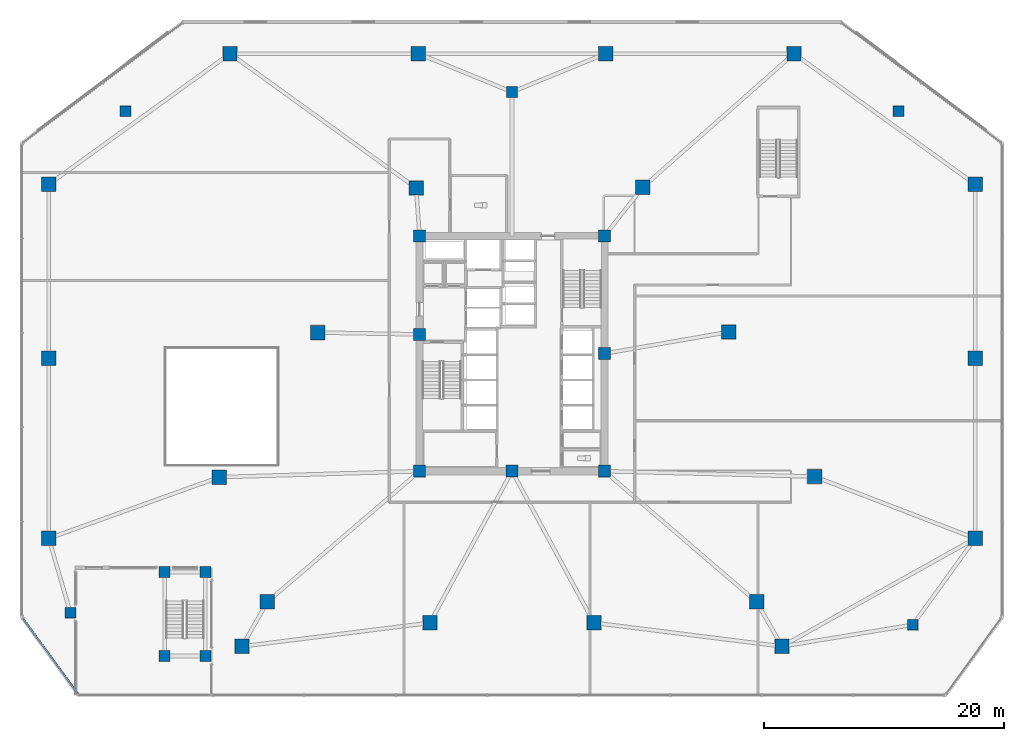
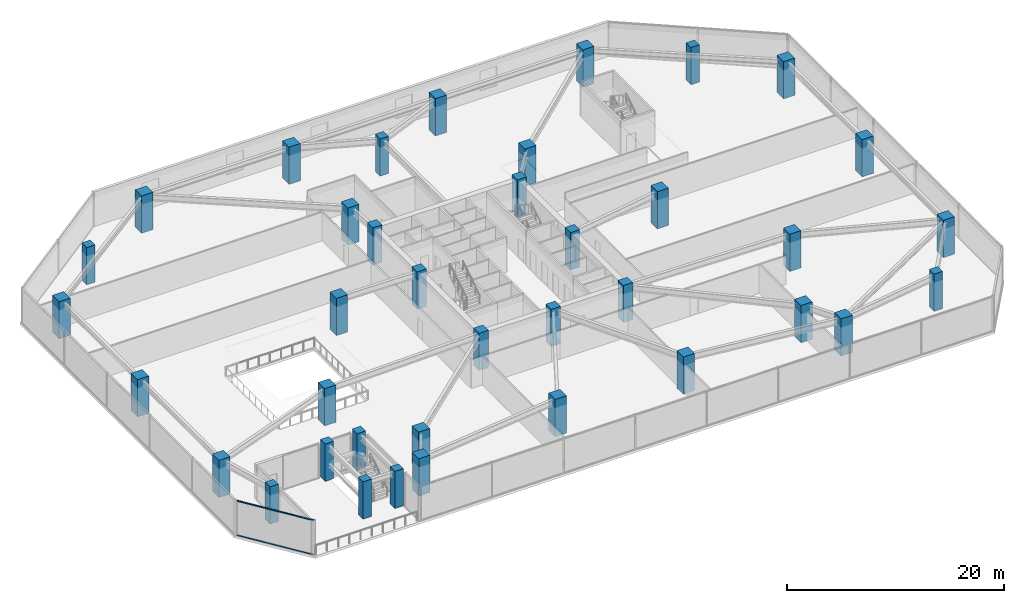
# One storey, part 1 of 22: 38 columns, 2 members, 1 element without a shape of its own.
"""IFC4 building model written with IfcOpenShell, lengths in metres."""

import ifcopenshell
import ifcopenshell.guid

model = None  # the IFC model being written
_history = None  # IfcOwnerHistory: only IFC2X3 demands one
_inside = {}  # id of a spatial element -> (the spatial element, [elements in it])
_under = {}  # id of a project, library or spatial element -> (it, [spatial elements below it])
_declared = {}  # id of a project -> (the project, [libraries it declares])
_typed = {}  # id of a type object -> (the type object, [elements of that type])
_made_of = {}  # id of a material, layer set ... -> (it, [elements and type objects made of it])


def new_model(schema):
    """Start an empty IFC model of exactly this schema.

    Asked for "IFC4X3", IfcOpenShell would pick the latest addendum, in which some entities
    have other attributes; the version numbers below select the first issue.
    IFC2X3 requires an IfcOwnerHistory on every rooted entity: one is made here for all.
    """
    global model, _history
    if schema == "IFC4X3":
        model = ifcopenshell.file(schema_version=(4, 3, 0, 0))
    else:
        model = ifcopenshell.file(schema=schema)
    _inside.clear()
    _under.clear()
    _declared.clear()
    _typed.clear()
    _made_of.clear()
    _history = None
    if model.schema == "IFC2X3":
        org = make("IfcOrganization", Name="unknown")
        user = make(
            "IfcPersonAndOrganization",
            ThePerson=make("IfcPerson", FamilyName="unknown"),
            TheOrganization=org,
        )
        app = make(
            "IfcApplication",
            ApplicationDeveloper=org,
            Version="unknown",
            ApplicationFullName="unknown",
            ApplicationIdentifier="unknown",
        )
        _history = make(
            "IfcOwnerHistory",
            OwningUser=user,
            OwningApplication=app,
            ChangeAction="ADDED",
            CreationDate=0,
        )
    return model


def make(cls, **values):
    """One entity of the class cls with the attributes given. An attribute that is None is left unset."""
    return model.create_entity(
        cls, **{name: value for name, value in values.items() if value is not None}
    )


def rooted(cls, **values):
    """An entity with a GlobalId (a new one), such as an element, a storey or a relation."""
    return make(cls, GlobalId=ifcopenshell.guid.new(), OwnerHistory=_history, **values)


def si_unit(unit_type, name, prefix=None):
    """IfcSIUnit, for example si_unit("LENGTHUNIT", "METRE", prefix="MILLI")."""
    return make("IfcSIUnit", UnitType=unit_type, Prefix=prefix, Name=name)


def assignment(units):
    """IfcUnitAssignment: the units of a project."""
    return None if units is None else make("IfcUnitAssignment", Units=units)


def point(xyz):
    """IfcCartesianPoint."""
    return None if xyz is None else make("IfcCartesianPoint", Coordinates=xyz)


def direction(xyz):
    """IfcDirection."""
    return None if xyz is None else make("IfcDirection", DirectionRatios=xyz)


def frame(location, z_axis=None, x_axis=None):
    """IfcAxis2Placement3D, a coordinate frame: its origin and axes. An axis left out is left unset."""
    return make(
        "IfcAxis2Placement3D",
        Location=point(location),
        Axis=direction(z_axis),
        RefDirection=direction(x_axis),
    )


def frame_2d(location, x_axis=None):
    """IfcAxis2Placement2D, a coordinate frame in the plane: its origin and x axis."""
    return make(
        "IfcAxis2Placement2D", Location=point(location), RefDirection=direction(x_axis)
    )


def origin():
    """The frame at (0, 0, 0) with its axes left unset."""
    return frame((0.0, 0.0, 0.0))


def origin_2d():
    """The frame at (0, 0) in the plane with its x axis left unset."""
    return frame_2d((0.0, 0.0))


def place(relative_to, where):
    """IfcLocalPlacement: puts the frame where relative to a parent placement (None: the world)."""
    return make(
        "IfcLocalPlacement", PlacementRelTo=relative_to, RelativePlacement=where
    )


def context(
    kind, dimensions, precision=None, world=None, true_north=None, identifier=None
):
    """IfcGeometricRepresentationContext, for example the 3D "Model" context."""
    return make(
        "IfcGeometricRepresentationContext",
        ContextIdentifier=identifier,
        ContextType=kind,
        CoordinateSpaceDimension=dimensions,
        Precision=precision,
        WorldCoordinateSystem=world,
        TrueNorth=true_north,
    )


def subcontext(parent, identifier, kind, view, scale=None):
    """IfcGeometricRepresentationSubContext, for example "Body" below "Model"."""
    return make(
        "IfcGeometricRepresentationSubContext",
        ContextIdentifier=identifier,
        ContextType=kind,
        ParentContext=parent,
        TargetScale=scale,
        TargetView=view,
    )


def project(units=None, contexts=None):
    """IfcProject with its units and contexts."""
    return rooted(
        "IfcProject",
        Name="project",
        RepresentationContexts=contexts,
        UnitsInContext=assignment(units),
    )


def spatial(cls, under=None, at=None, **own):
    """A site, building, storey or space (cls), placed at a placement, below another one or the project."""
    s = rooted(cls, ObjectPlacement=at, **own)
    if under is not None:
        _under.setdefault(under.id(), (under, []))[1].append(s)
    return s


def profile(cls, at=None, kind="AREA", **sizes):
    """A parametric profile (cls). Its sizes go by their IFC names, for example OverallWidth=200.0."""
    return make(cls, ProfileType=kind, Position=at, **sizes)


def rectangle(**sizes):
    """IfcRectangleProfileDef."""
    return profile("IfcRectangleProfileDef", **sizes)


def extrude(swept, where, along, depth):
    """IfcExtrudedAreaSolid: the profile swept, set in the frame where, extruded along a direction by depth."""
    return make(
        "IfcExtrudedAreaSolid",
        SweptArea=swept,
        Position=where,
        ExtrudedDirection=direction(along),
        Depth=depth,
    )


def shape(context_of_items, identifier, shape_type, items):
    """IfcShapeRepresentation: the items that make up one representation, for example the "Body"."""
    return make(
        "IfcShapeRepresentation",
        ContextOfItems=context_of_items,
        RepresentationIdentifier=identifier,
        RepresentationType=shape_type,
        Items=items,
    )


def material(Name=None, Category=None):
    """IfcMaterial."""
    return make("IfcMaterial", Name=Name, Category=Category)


def material_profile(
    of_material, cross_section, Name=None, Category=None, Priority=None
):
    """IfcMaterialProfile: a cross section and its material."""
    return make(
        "IfcMaterialProfile",
        Name=Name,
        Material=of_material,
        Profile=cross_section,
        Priority=Priority,
        Category=Category,
    )


def profile_set(profiles, Name=None, composite=None):
    """IfcMaterialProfileSet."""
    return make(
        "IfcMaterialProfileSet",
        Name=Name,
        MaterialProfiles=profiles,
        CompositeProfile=composite,
    )


def made_of(thing, what):
    """Note that an element or type object is made of a material, layer set ...; save() writes the relation."""
    if what is not None:
        _made_of.setdefault(what.id(), (what, []))[1].append(thing)
    return thing


def type_object(cls, material=None, **own):
    """A type object (cls), such as IfcWallType, which elements share."""
    return made_of(rooted(cls, **own), material)


def element(
    cls,
    number,
    at=None,
    inside=None,
    cuts=None,
    type_object=None,
    material=None,
    context=None,
    identifier="Body",
    shape_type=None,
    held_by="IfcProductDefinitionShape",
    body=None,
    shapes=None,
    **own,
):
    """One element of the class cls, such as IfcWall. Its Tag is "e" and its number.

    at: its placement. inside: the storey or other place that contains it. cuts: it is an
    opening in that element (IfcRelVoidsElement). A single representation is given by context,
    identifier, shape_type and body (its items); several are given by shapes. held_by: the class
    of the entity that holds the representations. save() writes the other relations.
    """
    e = rooted(cls, Tag="e%d" % number, ObjectPlacement=at, **own)
    if body is not None:
        shapes = [shape(context, identifier, shape_type, body)]
    if shapes is not None:
        e.Representation = make(held_by, Representations=shapes)
    if inside is not None:
        _inside.setdefault(inside.id(), (inside, []))[1].append(e)
    if cuts is not None:
        rooted(
            "IfcRelVoidsElement", RelatingBuildingElement=cuts, RelatedOpeningElement=e
        )
    if type_object is not None:
        _typed.setdefault(type_object.id(), (type_object, []))[1].append(e)
    return made_of(e, material)


def aggregate(whole, parts):
    """IfcRelAggregates: a whole, such as a stair, and the parts it consists of."""
    return rooted("IfcRelAggregates", RelatingObject=whole, RelatedObjects=parts)


def save(model, path):
    """Write the relations noted so far, then the file.

    IfcRelAggregates (storeys below a building ...), IfcRelContainedInSpatialStructure (elements
    in a storey), IfcRelDefinesByType, IfcRelAssociatesMaterial and IfcRelDeclares: one each for
    every whole, place, type object, material and project.
    """
    for whole, parts in _under.values():
        aggregate(whole, parts)
    for where, things in _inside.values():
        rooted(
            "IfcRelContainedInSpatialStructure",
            RelatedElements=things,
            RelatingStructure=where,
        )
    for kind, things in _typed.values():
        rooted("IfcRelDefinesByType", RelatedObjects=things, RelatingType=kind)
    for what, things in _made_of.values():
        rooted("IfcRelAssociatesMaterial", RelatedObjects=things, RelatingMaterial=what)
    for by, libraries in _declared.values():
        rooted("IfcRelDeclares", RelatingContext=by, RelatedDefinitions=libraries)
    model.write(path)


model = new_model("IFC4")

# Units and contexts
model_context = context("Model", 3, precision=1e-05, world=origin(), true_north=direction((0.0, 1.0)))
body_context = subcontext(model_context, "Body", "Model", "MODEL_VIEW")
ifc_project = project(units=[si_unit("LENGTHUNIT", "METRE"), si_unit("AREAUNIT", "SQUARE_METRE"), si_unit("VOLUMEUNIT", "CUBIC_METRE"), si_unit("PLANEANGLEUNIT", "RADIAN"), si_unit("MASSUNIT", "GRAM", prefix="KILO")], contexts=[model_context])

# Site, building, storey
site_placement = place(None, origin())
site = spatial("IfcSite", under=ifc_project, at=site_placement, CompositionType="ELEMENT")
building_placement = place(site_placement, origin())
building = spatial("IfcBuilding", under=site, at=building_placement, Name="Savorim Split Tower", CompositionType="ELEMENT")
storey_placement = place(building_placement, frame((0.0, 0.0, 13.39990234375)))
storey = spatial("IfcBuildingStorey", under=building, at=storey_placement, Name="L03", CompositionType="ELEMENT", Elevation=13.39990234375)

# Columns
ifc_material_1 = material(Name="Concrete C60/75", Category="concrete")
ifc_material_profile_1 = material_profile(ifc_material_1, rectangle(XDim=1.0, YDim=1.0, at=origin_2d()), Name="RC 1000x1000")
ifc_profile_set_1 = profile_set([ifc_material_profile_1], Name="Concrete C60/75")
column_type_1 = type_object("IfcColumnType", Name="COL-RC-1000", PredefinedType="COLUMN", material=ifc_profile_set_1)
for number, where, z_axis, x_axis, name in (
    (1, (-7.699951171875, -9.39990234375, 0.0), (0.0, 0.0, 1.0), (1.0, 0.0, 0.0), "L03 Core Structural Column TC-C1"),
    (2, (7.699951171875, -9.39990234375, 0.0), (0.0, 0.0, 1.0), (1.0, 0.0, 0.0), "L03 Core Structural Column TC-C2"),
    (3, (7.699951171875, 10.199951171875, 0.0), (0.0, 0.0, 1.0), (1.0, 0.0, 0.0), "L03 Core Structural Column TC-C3"),
    (4, (-7.699951171875, 10.199951171875, 0.0), (0.0, 0.0, 1.0), (1.0, 0.0, 0.0), "L03 Core Structural Column TC-C4"),
    (5, (0.0, -9.39990234375, 0.0), (0.0, 0.0, 1.0), (1.0, 0.0, 0.0), "L03 Core Structural Column TC-C5"),
    (6, (7.699951171875, 0.39990234375, 0.0), (0.0, 0.0, 1.0), (1.0, 0.0, 0.0), "L03 Core Structural Column TC-C6"),
    (7, (-7.699951171875, 2.0, 0.0), (0.0, 0.0, 1.0), (1.0, 0.0, 0.0), "L03 Core Structural Column TC-C7"),
):
    element("IfcColumn", number, at=place(storey_placement, frame(where, z_axis=z_axis, x_axis=x_axis)), inside=storey, type_object=column_type_1, Name=name, PredefinedType="COLUMN", context=body_context, shape_type="SweptSolid", body=[
        extrude(rectangle(XDim=1.0, YDim=1.0, at=origin_2d()), origin(), (0.0, 0.0, 1.0), 4.2001953125),
    ])
ifc_material_profile_2 = material_profile(ifc_material_1, rectangle(XDim=1.199951171875, YDim=1.199951171875, at=origin_2d()), Name="RC 1200x1200")
ifc_profile_set_2 = profile_set([ifc_material_profile_2], Name="Concrete C60/75")
column_type_2 = type_object("IfcColumnType", Name="COL-RC-1200", PredefinedType="COLUMN", material=ifc_profile_set_2)
for number, where, z_axis, x_axis, name in (
    (8, (38.60009765625, -15.0, 0.0), (0.0, 0.0, 1.0), (1.0, 0.0, 0.0), "L03 Podium Perimeter Column DC-05"),
    (9, (38.60009765625, 0.0, 0.0), (0.0, 0.0, 1.0), (1.0, 0.0, 0.0), "L03 Podium Perimeter Column DC-06"),
    (10, (38.60009765625, 14.5, 0.0), (0.0, 0.0, 1.0), (1.0, 0.0, 0.0), "L03 Podium Perimeter Column DC-07"),
    (11, (23.5, 25.39990234375, 0.0), (0.0, 0.0, 1.0), (1.0, 0.0, 0.0), "L03 Podium Perimeter Column DC-08"),
    (12, (7.800048828125, 25.39990234375, 0.0), (0.0, 0.0, 1.0), (1.0, 0.0, 0.0), "L03 Podium Perimeter Column DC-09"),
    (13, (-7.800048828125, 25.39990234375, 0.0), (0.0, 0.0, 1.0), (1.0, 0.0, 0.0), "L03 Podium Perimeter Column DC-10"),
    (14, (-23.5, 25.39990234375, 0.0), (0.0, 0.0, 1.0), (1.0, 0.0, 0.0), "L03 Podium Perimeter Column DC-11"),
    (15, (-38.60009765625, 14.5, 0.0), (0.0, 0.0, 1.0), (1.0, 0.0, 0.0), "L03 Podium Perimeter Column DC-12"),
    (16, (-38.60009765625, 0.0, 0.0), (0.0, 0.0, 1.0), (1.0, 0.0, 0.0), "L03 Podium Perimeter Column DC-13"),
    (17, (-38.60009765625, -15.0, 0.0), (0.0, 0.0, 1.0), (1.0, 0.0, 0.0), "L03 Podium Perimeter Column DC-14"),
    (18, (-22.5, -24.0, 0.0), (0.0, 0.0, 1.0), (1.0, 0.0, 0.0), "L03 Podium Perimeter Column DC-01"),
    (19, (22.5, -24.0, 0.0), (0.0, 0.0, 1.0), (1.0, 0.0, 0.0), "L03 Podium Perimeter Column DC-04"),
    (20, (-20.384033203125, -20.291748046875, 0.0), (0.0, 0.0, 1.0), (1.0, 0.0, 0.0), "L03 Tower Transfer Pier Column PC-S1"),
    (21, (-6.831787109375, -22.03173828125, 0.0), (0.0, 0.0, 1.0), (1.0, 0.0, 0.0), "L03 Tower Transfer Pier Column PC-S2"),
    (22, (6.831787109375, -22.03173828125, 0.0), (0.0, 0.0, 1.0), (1.0, 0.0, 0.0), "L03 Tower Transfer Pier Column PC-S3"),
    (23, (20.384033203125, -20.291748046875, 0.0), (0.0, 0.0, 1.0), (1.0, 0.0, 0.0), "L03 Tower Transfer Pier Column PC-S4"),
    (24, (25.21337890625, -9.845458984375, 0.0), (0.0, 0.0, 1.0), (1.0, 0.0, 0.0), "L03 Tower Transfer Pier Column PC-E1"),
    (25, (18.049560546875, 2.202392578125, 0.0), (0.0, 0.0, 1.0), (1.0, 0.0, 0.0), "L03 Tower Transfer Pier Column PC-E2"),
    (26, (10.885498046875, 14.25048828125, 0.0), (0.0, 0.0, 1.0), (1.0, 0.0, 0.0), "L03 Tower Transfer Pier Column PC-E3"),
    (27, (-7.992431640625, 14.20166015625, 0.0), (0.0, 0.0, 1.0), (1.0, 0.0, 0.0), "L03 Tower Transfer Pier Column PC-W1"),
    (28, (-16.1884765625, 2.15380859375, 0.0), (0.0, 0.0, 1.0), (1.0, 0.0, 0.0), "L03 Tower Transfer Pier Column PC-W2"),
    (29, (-24.384521484375, -9.894287109375, 0.0), (0.0, 0.0, 1.0), (1.0, 0.0, 0.0), "L03 Tower Transfer Pier Column PC-W3"),
):
    element("IfcColumn", number, at=place(storey_placement, frame(where, z_axis=z_axis, x_axis=x_axis)), inside=storey, type_object=column_type_2, Name=name, PredefinedType="COLUMN", context=body_context, shape_type="SweptSolid", body=[
        extrude(rectangle(XDim=1.199951171875, YDim=1.199951171875, at=origin_2d()), origin(), (0.0, 0.0, 1.0), 4.2001953125),
    ])
ifc_material_profile_3 = material_profile(ifc_material_1, rectangle(XDim=0.89990234375, YDim=0.89990234375, at=origin_2d()), Name="RC 900x900")
ifc_profile_set_3 = profile_set([ifc_material_profile_3], Name="Concrete C60/75")
column_type_3 = type_object("IfcColumnType", Name="COL-RC-900", PredefinedType="COLUMN", material=ifc_profile_set_3)
for number, where, z_axis, x_axis, name in (
    (30, (33.39990234375, -22.199951171875, 0.0), (0.0, 0.0, 1.0), (1.0, 0.0, 0.0), "L03 Podium Support Column GC-01"),
    (31, (32.199951171875, 20.60009765625, 0.0), (0.0, 0.0, 1.0), (1.0, 0.0, 0.0), "L03 Podium Support Column GC-02"),
    (32, (-32.199951171875, 20.60009765625, 0.0), (0.0, 0.0, 1.0), (1.0, 0.0, 0.0), "L03 Podium Support Column GC-03"),
    (33, (-36.800048828125, -21.199951171875, 0.0), (0.0, 0.0, 1.0), (1.0, 0.0, 0.0), "L03 Podium Support Column GC-04"),
    (34, (0.0, 22.199951171875, 0.0), (0.0, 0.0, 1.0), (1.0, 0.0, 0.0), "L03 Podium Support Column GC-05"),
    (35, (-28.949951171875, -24.800048828125, 0.0), (0.0, 0.0, 1.0), (1.0, 0.0, 0.0), "L03 Podium Support Column GSC-1"),
    (36, (-25.550048828125, -24.800048828125, 0.0), (0.0, 0.0, 1.0), (1.0, 0.0, 0.0), "L03 Podium Support Column GSC-2"),
    (37, (-28.949951171875, -17.800048828125, 0.0), (0.0, 0.0, 1.0), (1.0, 0.0, 0.0), "L03 Podium Support Column GSC-3"),
    (38, (-25.550048828125, -17.800048828125, 0.0), (0.0, 0.0, 1.0), (1.0, 0.0, 0.0), "L03 Podium Support Column GSC-4"),
):
    element("IfcColumn", number, at=place(storey_placement, frame(where, z_axis=z_axis, x_axis=x_axis)), inside=storey, type_object=column_type_3, Name=name, PredefinedType="COLUMN", context=body_context, shape_type="SweptSolid", body=[
        extrude(rectangle(XDim=0.89990234375, YDim=0.89990234375, at=origin_2d()), origin(), (0.0, 0.0, 1.0), 4.2001953125),
    ])

# Curtain wall, members
ifc_material_2 = material(Name="Dark Ceramic-Fritted Insulated Glass", Category="glass")
curtain_wall_type = type_object("IfcCurtainWallType", Name="CW-POD-GLZ", PredefinedType="NOTDEFINED", material=ifc_material_2)
curtain_wall_placement = place(storey_placement, origin())
curtain_wall = element("IfcCurtainWall", 39, at=curtain_wall_placement, inside=storey, type_object=curtain_wall_type, Name="L03 Curtain Wall CW-L03-E11", PredefinedType="NOTDEFINED")
ifc_material_3 = material(Name="Charcoal Anodised Aluminium", Category="aluminium")
ifc_material_profile_4 = material_profile(ifc_material_3, rectangle(XDim=0.159912109375, YDim=0.06005859375, at=origin_2d()), Name="ALU-T 160x60")
ifc_profile_set_4 = profile_set([ifc_material_profile_4], Name="Charcoal Anodised Aluminium")
member_type = type_object("IfcMemberType", Name="CWT-160x60", PredefinedType="USERDEFINED", material=ifc_profile_set_4)
member_1_placement = place(storey_placement, frame((-40.7470703125, -21.67578125, 0.030029296875), z_axis=(0.588177323599, -0.808731992692, 0.0), x_axis=(0.808731992692, 0.588177323599, 0.0)))
member_1 = element("IfcMember", 40, at=member_1_placement, type_object=member_type, Name="CW-01 transom 1.1", ObjectType="TRANSOM", PredefinedType="USERDEFINED", context=body_context, shape_type="SweptSolid", body=[
    extrude(rectangle(XDim=0.159912109375, YDim=0.06005859375, at=origin_2d()), origin(), (0.0, 0.0, 1.0), 7.74072265625),
])
member_2_placement = place(storey_placement, frame((-40.7470703125, -21.67578125, 3.89013671875), z_axis=(0.588177323599, -0.808731992692, 0.0), x_axis=(0.808731992692, 0.588177323599, 0.0)))
member_2 = element("IfcMember", 41, at=member_2_placement, type_object=member_type, Name="CW-01 transom 1.2", ObjectType="TRANSOM", PredefinedType="USERDEFINED", context=body_context, shape_type="SweptSolid", body=[
    extrude(rectangle(XDim=0.159912109375, YDim=0.06005859375, at=origin_2d()), origin(), (0.0, 0.0, 1.0), 7.74072265625),
])
aggregate(curtain_wall, [member_1, member_2])

save(model, "model.ifc")
